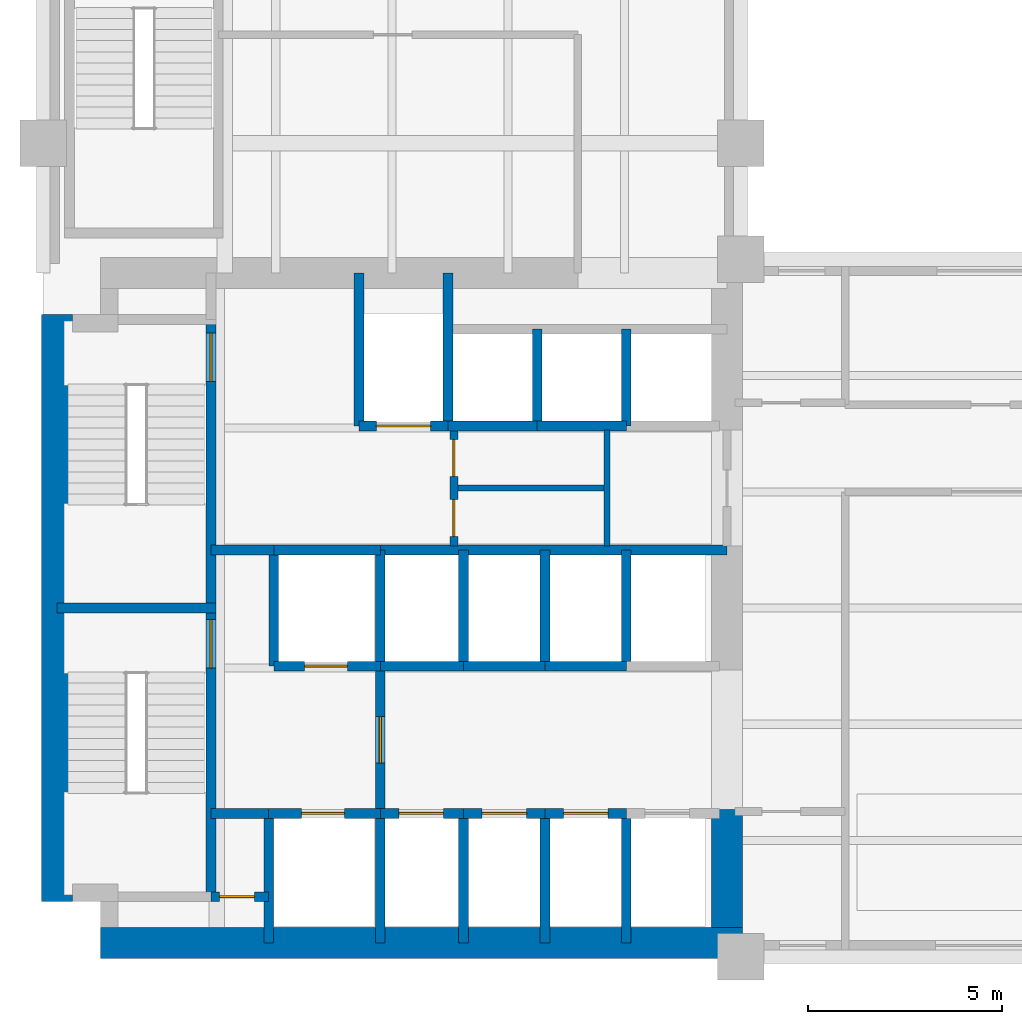
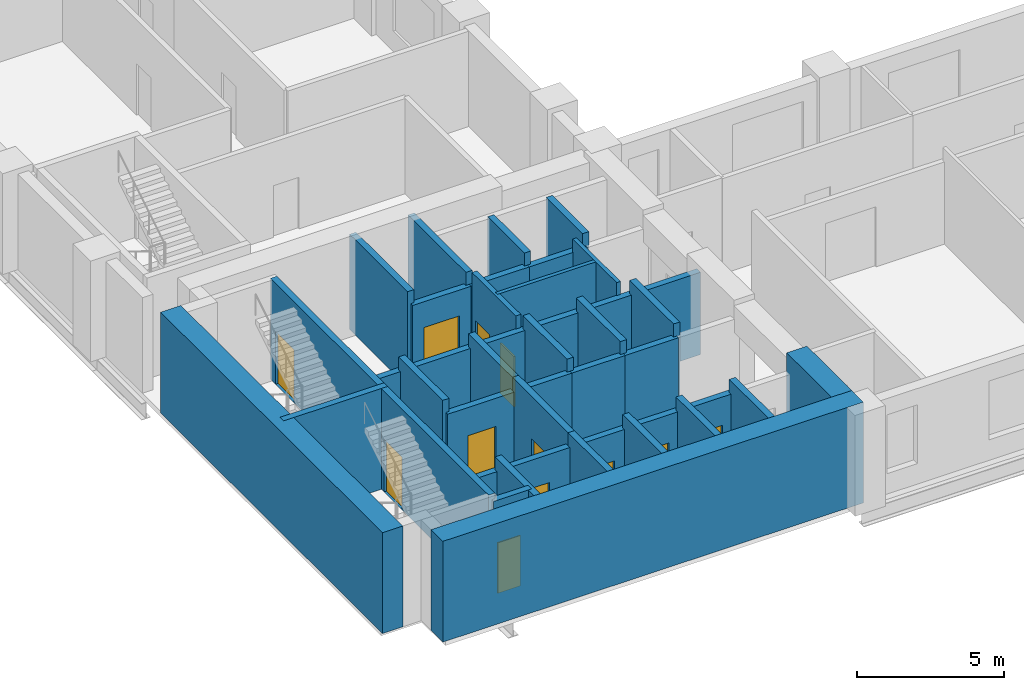
# One storey, part 3 of 7: 40 walls, 12 doors, 12 openings.
"""IFC4 building model written with IfcOpenShell, lengths in metres."""

from ifc_helpers import new_model, si_unit, direction, frame, frame_2d, origin, place, context, subcontext, project, spatial, rectangle, extrude, material, layer, layer_set, type_object, element, fill, save


model = new_model("IFC4")

# Units and contexts
model_context = context("Model", 3, precision=1e-05, world=origin(), true_north=direction((0.0, 1.0)))
body_context = subcontext(model_context, "Body", "Model", "MODEL_VIEW")
ifc_project = project(units=[si_unit("LENGTHUNIT", "METRE"), si_unit("AREAUNIT", "SQUARE_METRE"), si_unit("VOLUMEUNIT", "CUBIC_METRE"), si_unit("PLANEANGLEUNIT", "RADIAN"), si_unit("MASSUNIT", "GRAM", prefix="KILO")], contexts=[model_context])

# Site, building, storey
site_placement = place(None, origin())
site = spatial("IfcSite", under=ifc_project, at=site_placement, CompositionType="ELEMENT")
building_placement = place(site_placement, origin())
building = spatial("IfcBuilding", under=site, at=building_placement, Name="Mawjdan Bourse Tower", CompositionType="ELEMENT")
storey_placement = place(building_placement, frame((0.0, 0.0, 72.0)))
storey = spatial("IfcBuildingStorey", under=building, at=storey_placement, Name="L16", CompositionType="ELEMENT", Elevation=72.0)

# Wall, openings, doors
ifc_material_1 = material(Name="Gypsum Fireboard Assembly")
ifc_layer_1 = layer(ifc_material_1, 0.199951171875)
ifc_layer_set_1 = layer_set([ifc_layer_1], Name="Gypsum Fireboard Assembly")
wall_type_1 = type_object("IfcWallType", Name="WL-CMP-200", PredefinedType="PARTITIONING", material=ifc_layer_set_1)
wall_1_placement = place(storey_placement, frame((16.60009765625, 13.60009765625, 0.0), z_axis=(0.0, 0.0, 1.0), x_axis=(0.0, 1.0, 0.0)))
wall_1 = element("IfcWall", 1, at=wall_1_placement, inside=storey, type_object=wall_type_1, Name="L16 Core Restroom West Wall", PredefinedType="PARTITIONING", context=body_context, shape_type="SweptSolid", body=[
    extrude(rectangle(XDim=3.0, YDim=0.199951171875, at=frame_2d((1.5, 0.0))), origin(), (0.0, 0.0, 1.0), 3.969970703125),
])
opening_1_placement = place(wall_1_placement, frame((0.25, 0.0, 0.0)))
opening_1 = element("IfcOpeningElement", 2, at=opening_1_placement, cuts=wall_1, Name="Opening D-L16-14", PredefinedType="OPENING", context=body_context, shape_type="SweptSolid", body=[
    extrude(rectangle(XDim=0.949951171875, YDim=2.10009765625, at=frame_2d((0.47509765625, 1.050048828125))), frame((0.0, 0.10986328125, 0.0), z_axis=(0.0, -1.0, 0.0), x_axis=(1.0, 0.0, 0.0)), (0.0, 0.0, 1.0), 0.219970703125),
])
opening_2_placement = place(wall_1_placement, frame((1.800048828125, 0.0, 0.0)))
opening_2 = element("IfcOpeningElement", 3, at=opening_2_placement, cuts=wall_1, Name="Opening D-L16-15", PredefinedType="OPENING", context=body_context, shape_type="SweptSolid", body=[
    extrude(rectangle(XDim=0.949951171875, YDim=2.10009765625, at=frame_2d((0.47509765625, 1.050048828125))), frame((0.0, 0.10986328125, 0.0), z_axis=(0.0, -1.0, 0.0), x_axis=(1.0, 0.0, 0.0)), (0.0, 0.0, 1.0), 0.219970703125),
])
ifc_material_2 = material(Name="Moisture-Resistant Laminate Timber", Category="wood")
door_type_1 = type_object("IfcDoorType", Name="DR-WET-0950", OperationType="NOTDEFINED", PredefinedType="DOOR", material=ifc_material_2)
door_1_placement = place(opening_1_placement, origin())
door_1 = element("IfcDoor", 4, at=door_1_placement, inside=storey, type_object=door_type_1, Name="L16 Accessible WC West Entry Door D-L16-14", OperationType="SINGLE_SWING_LEFT", OverallHeight=2.10009765625, OverallWidth=0.949951171875, PredefinedType="DOOR", context=body_context, shape_type="SweptSolid", body=[
    extrude(rectangle(XDim=0.949951171875, YDim=2.10009765625, at=frame_2d((0.47509765625, 1.050048828125))), frame((0.0, 0.02490234375, 0.0), z_axis=(0.0, -1.0, 0.0), x_axis=(1.0, 0.0, 0.0)), (0.0, 0.0, 1.0), 0.050048828125),
])
fill(opening_1, door_1)
door_2_placement = place(opening_2_placement, origin())
door_2 = element("IfcDoor", 5, at=door_2_placement, inside=storey, type_object=door_type_1, Name="L16 Male Restroom West Entry Door D-L16-15", OperationType="SINGLE_SWING_RIGHT", OverallHeight=2.10009765625, OverallWidth=0.949951171875, PredefinedType="DOOR", context=body_context, shape_type="SweptSolid", body=[
    extrude(rectangle(XDim=0.949951171875, YDim=2.10009765625, at=frame_2d((0.47509765625, 1.050048828125))), frame((0.0, 0.02490234375, 0.0), z_axis=(0.0, -1.0, 0.0), x_axis=(1.0, 0.0, 0.0)), (0.0, 0.0, 1.0), 0.050048828125),
])
fill(opening_2, door_2)

# Walls
ifc_material_3 = material(Name="Concrete C80/95", Category="concrete")
ifc_layer_2 = layer(ifc_material_3, 0.800048828125)
ifc_layer_set_2 = layer_set([ifc_layer_2], Name="Concrete C80/95")
wall_type_2 = type_object("IfcWallType", Name="WL-CORE-800", PredefinedType="SHEAR", material=ifc_layer_set_2)
wall_2_placement = place(storey_placement, frame((7.47509765625, 3.35009765625, 0.0), z_axis=(0.0, 0.0, 1.0), x_axis=(1.0, 0.0, 0.0)))
element("IfcWall", 6, at=wall_2_placement, inside=storey, type_object=wall_type_2, Name="L16 Rear Core Shear Wall S", PredefinedType="SHEAR", context=body_context, shape_type="SweptSolid", body=[
    extrude(rectangle(XDim=16.574951171875, YDim=0.800048828125, at=frame_2d((8.28759765625, 0.0))), origin(), (0.0, 0.0, 1.0), 4.199951171875),
])
wall_3_placement = place(storey_placement, frame((6.35009765625, 4.425048828125, 0.0), z_axis=(0.0, 0.0, 1.0), x_axis=(0.0, 1.0, 0.0)))
element("IfcWall", 7, at=wall_3_placement, inside=storey, type_object=wall_type_2, Name="L16 Rear Core Shear Wall W", PredefinedType="SHEAR", context=body_context, shape_type="SweptSolid", body=[
    extrude(rectangle(XDim=15.14990234375, YDim=0.800048828125, at=frame_2d((7.574951171875, 0.0))), origin(), (0.0, 0.0, 1.0), 4.199951171875),
])
wall_4_placement = place(storey_placement, frame((23.64990234375, 3.75, 0.0), z_axis=(0.0, 0.0, 1.0), x_axis=(0.0, 1.0, 0.0)))
element("IfcWall", 8, at=wall_4_placement, inside=storey, type_object=wall_type_2, Name="L16 Rear Core Shear Wall E1", PredefinedType="SHEAR", context=body_context, shape_type="SweptSolid", body=[
    extrude(rectangle(XDim=3.050048828125, YDim=0.800048828125, at=frame_2d((1.52490234375, 0.0))), origin(), (0.0, 0.0, 1.0), 4.199951171875),
])
ifc_material_4 = material(Name="Gypsum Acoustic Partition")
ifc_layer_3 = layer(ifc_material_4, 0.14990234375)
ifc_layer_set_3 = layer_set([ifc_layer_3], Name="Gypsum Acoustic Partition")
wall_type_3 = type_object("IfcWallType", Name="WL-PRT-150", PredefinedType="PARTITIONING", material=ifc_layer_set_3)
wall_5_placement = place(storey_placement, frame((16.60009765625, 15.10009765625, 0.0), z_axis=(0.0, 0.0, 1.0), x_axis=(1.0, 0.0, 0.0)))
element("IfcWall", 9, at=wall_5_placement, inside=storey, type_object=wall_type_3, Name="L16 Core Restroom West Horizontal Split", PredefinedType="PARTITIONING", context=body_context, shape_type="SweptSolid", body=[
    extrude(rectangle(XDim=3.949951171875, YDim=0.14990234375, at=frame_2d((1.97509765625, 0.0))), origin(), (0.0, 0.0, 1.0), 3.969970703125),
])
wall_6_placement = place(storey_placement, frame((20.550048828125, 13.60009765625, 0.0), z_axis=(0.0, 0.0, 1.0), x_axis=(0.0, 1.0, 0.0)))
element("IfcWall", 10, at=wall_6_placement, inside=storey, type_object=wall_type_3, Name="L16 Core Restroom Vertical Split", PredefinedType="PARTITIONING", context=body_context, shape_type="SweptSolid", body=[
    extrude(rectangle(XDim=3.0, YDim=0.14990234375, at=frame_2d((1.5, 0.0))), origin(), (0.0, 0.0, 1.0), 3.969970703125),
])

# Wall, opening, door
ifc_material_5 = material(Name="Concrete C50/60", Category="concrete")
ifc_layer_4 = layer(ifc_material_5, 0.25)
ifc_layer_set_4 = layer_set([ifc_layer_4], Name="Concrete C50/60")
wall_type_4 = type_object("IfcWallType", Name="WL-SHFT-250", PredefinedType="PARTITIONING", material=ifc_layer_set_4)
wall_7_placement = place(storey_placement, frame((10.330078125, 4.550048828125, 0.0), z_axis=(0.0, 0.0, 1.0), x_axis=(1.0, 0.0, 0.0)))
wall_7 = element("IfcWall", 11, at=wall_7_placement, inside=storey, type_object=wall_type_4, Name="L16 SW Riser North Wall", PredefinedType="PARTITIONING", context=body_context, shape_type="SweptSolid", body=[
    extrude(rectangle(XDim=1.489990234375, YDim=0.25, at=frame_2d((0.7451171875, 0.0))), origin(), (0.0, 0.0, 1.0), 3.969970703125),
])
opening_3_placement = place(wall_7_placement, frame((0.219970703125, 0.0, 0.0)))
opening_3 = element("IfcOpeningElement", 12, at=opening_3_placement, cuts=wall_7, Name="Opening RD-L16-03", PredefinedType="OPENING", context=body_context, shape_type="SweptSolid", body=[
    extrude(rectangle(XDim=0.89990234375, YDim=2.10009765625, at=frame_2d((0.449951171875, 1.050048828125))), frame((0.0, 0.135009765625, 0.0), z_axis=(0.0, -1.0, 0.0), x_axis=(1.0, 0.0, 0.0)), (0.0, 0.0, 1.0), 0.27001953125),
])
ifc_material_6 = material(Name="Fire-Rated Steel Access Leaf", Category="steel")
door_type_2 = type_object("IfcDoorType", Name="FD-RSR-0900", OperationType="NOTDEFINED", PredefinedType="TRAPDOOR", material=ifc_material_6)
door_3_placement = place(opening_3_placement, origin())
door_3 = element("IfcDoor", 13, at=door_3_placement, inside=storey, type_object=door_type_2, Name="L16 Electrical Riser Access Door RD-L16-03", OperationType="SINGLE_SWING_LEFT", OverallHeight=2.10009765625, OverallWidth=0.89990234375, PredefinedType="TRAPDOOR", context=body_context, shape_type="SweptSolid", body=[
    extrude(rectangle(XDim=0.89990234375, YDim=2.10009765625, at=frame_2d((0.449951171875, 1.050048828125))), frame((0.0, 0.02490234375, 0.0), z_axis=(0.0, -1.0, 0.0), x_axis=(1.0, 0.0, 0.0)), (0.0, 0.0, 1.0), 0.050048828125),
])
fill(opening_3, door_3)

# Wall
wall_8_placement = place(storey_placement, frame((11.820068359375, 3.35009765625, 0.0), z_axis=(0.0, 0.0, 1.0), x_axis=(0.0, 1.0, 0.0)))
element("IfcWall", 14, at=wall_8_placement, inside=storey, type_object=wall_type_4, Name="L16 SW Riser & FFL01 West Wall", PredefinedType="PARTITIONING", context=body_context, shape_type="SweptSolid", body=[
    extrude(rectangle(XDim=3.349853515625, YDim=0.25, at=frame_2d((1.6748046875, 0.0))), origin(), (0.0, 0.0, 1.0), 3.969970703125),
])

# Wall, opening, door
wall_9_placement = place(storey_placement, frame((11.820068359375, 6.699951171875, 0.0), z_axis=(0.0, 0.0, 1.0), x_axis=(1.0, 0.0, 0.0)))
wall_9 = element("IfcWall", 15, at=wall_9_placement, inside=storey, type_object=wall_type_4, Name="L16 FFL-01 Front Shaft Wall", PredefinedType="PARTITIONING", context=body_context, shape_type="SweptSolid", body=[
    extrude(rectangle(XDim=2.8798828125, YDim=0.25, at=frame_2d((1.43994140625, 0.0))), origin(), (0.0, 0.0, 1.0), 3.426025390625),
])
opening_4_placement = place(wall_9_placement, frame((0.85009765625, 0.0, 0.0)))
opening_4 = element("IfcOpeningElement", 16, at=opening_4_placement, cuts=wall_9, Name="Opening LD-L16-05", PredefinedType="OPENING", context=body_context, shape_type="SweptSolid", body=[
    extrude(rectangle(XDim=1.10009765625, YDim=2.25, at=frame_2d((0.550048828125, 1.125))), frame((0.0, 0.135009765625, 0.0), z_axis=(0.0, -1.0, 0.0), x_axis=(1.0, 0.0, 0.0)), (0.0, 0.0, 1.0), 0.27001953125),
])
ifc_material_7 = material(Name="Brushed Stainless Steel", Category="steel")
door_type_3 = type_object("IfcDoorType", Name="LD-FFL-1100", OperationType="DOUBLE_DOOR_SLIDING", PredefinedType="DOOR", material=ifc_material_7)
door_4_placement = place(opening_4_placement, origin())
door_4 = element("IfcDoor", 17, at=door_4_placement, inside=storey, type_object=door_type_3, Name="L16 Firefighting Lift FFL-01 Landing Door LD-L16-05", OperationType="DOUBLE_DOOR_SLIDING", OverallHeight=2.25, OverallWidth=1.10009765625, PredefinedType="DOOR", context=body_context, shape_type="SweptSolid", body=[
    extrude(rectangle(XDim=1.10009765625, YDim=2.25, at=frame_2d((0.550048828125, 1.125))), frame((0.0, 0.02490234375, 0.0), z_axis=(0.0, -1.0, 0.0), x_axis=(1.0, 0.0, 0.0)), (0.0, 0.0, 1.0), 0.050048828125),
])
fill(opening_4, door_4)

# Wall
wall_10_placement = place(storey_placement, frame((14.699951171875, 3.35009765625, 0.0), z_axis=(0.0, 0.0, 1.0), x_axis=(0.0, 1.0, 0.0)))
element("IfcWall", 18, at=wall_10_placement, inside=storey, type_object=wall_type_4, Name="L16 FFL-01 East Shaft Wall", PredefinedType="PARTITIONING", context=body_context, shape_type="SweptSolid", body=[
    extrude(rectangle(XDim=3.349853515625, YDim=0.25, at=frame_2d((1.6748046875, 0.0))), origin(), (0.0, 0.0, 1.0), 3.969970703125),
])

# Wall, opening, door
wall_11_placement = place(storey_placement, frame((11.949951171875, 10.5, 0.0), z_axis=(0.0, 0.0, 1.0), x_axis=(1.0, 0.0, 0.0)))
wall_11 = element("IfcWall", 19, at=wall_11_placement, inside=storey, type_object=wall_type_4, Name="L16 FFL-02 Front Shaft Wall", PredefinedType="PARTITIONING", context=body_context, shape_type="SweptSolid", body=[
    extrude(rectangle(XDim=2.75, YDim=0.25, at=frame_2d((1.375, 0.0))), origin(), (0.0, 0.0, 1.0), 3.426025390625),
])
opening_5_placement = place(wall_11_placement, frame((0.800048828125, 0.0, 0.0)))
opening_5 = element("IfcOpeningElement", 20, at=opening_5_placement, cuts=wall_11, Name="Opening LD-L16-06", PredefinedType="OPENING", context=body_context, shape_type="SweptSolid", body=[
    extrude(rectangle(XDim=1.10009765625, YDim=2.25, at=frame_2d((0.550048828125, 1.125))), frame((0.0, 0.135009765625, 0.0), z_axis=(0.0, -1.0, 0.0), x_axis=(1.0, 0.0, 0.0)), (0.0, 0.0, 1.0), 0.27001953125),
])
door_5_placement = place(opening_5_placement, origin())
door_5 = element("IfcDoor", 21, at=door_5_placement, inside=storey, type_object=door_type_3, Name="L16 Firefighting Lift FFL-02 Landing Door LD-L16-06", OperationType="DOUBLE_DOOR_SLIDING", OverallHeight=2.25, OverallWidth=1.10009765625, PredefinedType="DOOR", context=body_context, shape_type="SweptSolid", body=[
    extrude(rectangle(XDim=1.10009765625, YDim=2.25, at=frame_2d((0.550048828125, 1.125))), frame((0.0, 0.02490234375, 0.0), z_axis=(0.0, -1.0, 0.0), x_axis=(1.0, 0.0, 0.0)), (0.0, 0.0, 1.0), 0.050048828125),
])
fill(opening_5, door_5)

# Walls
wall_12_placement = place(storey_placement, frame((11.949951171875, 10.5, 0.0), z_axis=(0.0, 0.0, 1.0), x_axis=(0.0, 1.0, 0.0)))
element("IfcWall", 22, at=wall_12_placement, inside=storey, type_object=wall_type_4, Name="L16 FFL-02 West Shaft Wall", PredefinedType="PARTITIONING", context=body_context, shape_type="SweptSolid", body=[
    extrude(rectangle(XDim=3.0, YDim=0.25, at=frame_2d((1.5, 0.0))), origin(), (0.0, 0.0, 1.0), 3.969970703125),
])
wall_13_placement = place(storey_placement, frame((11.949951171875, 13.5, 0.0), z_axis=(0.0, 0.0, 1.0), x_axis=(1.0, 0.0, 0.0)))
element("IfcWall", 23, at=wall_13_placement, inside=storey, type_object=wall_type_4, Name="L16 FFL-02 North Shaft Wall", PredefinedType="PARTITIONING", context=body_context, shape_type="SweptSolid", body=[
    extrude(rectangle(XDim=2.75, YDim=0.25, at=frame_2d((1.375, 0.0))), origin(), (0.0, 0.0, 1.0), 3.426025390625),
])
wall_14_placement = place(storey_placement, frame((14.699951171875, 10.5, 0.0), z_axis=(0.0, 0.0, 1.0), x_axis=(0.0, 1.0, 0.0)))
element("IfcWall", 24, at=wall_14_placement, inside=storey, type_object=wall_type_4, Name="L16 FFL-02 East Shaft Wall", PredefinedType="PARTITIONING", context=body_context, shape_type="SweptSolid", body=[
    extrude(rectangle(XDim=3.0, YDim=0.25, at=frame_2d((1.5, 0.0))), origin(), (0.0, 0.0, 1.0), 3.969970703125),
])

# Wall, opening, door
wall_15_placement = place(storey_placement, frame((14.699951171875, 6.699951171875, 0.0), z_axis=(0.0, 0.0, 1.0), x_axis=(0.0, 1.0, 0.0)))
wall_15 = element("IfcWall", 25, at=wall_15_placement, inside=storey, type_object=wall_type_4, Name="L16 Firefighting Lobby East Compartment Wall", PredefinedType="PARTITIONING", context=body_context, shape_type="SweptSolid", body=[
    extrude(rectangle(XDim=3.800048828125, YDim=0.25, at=frame_2d((1.89990234375, 0.0))), origin(), (0.0, 0.0, 1.0), 3.969970703125),
])
opening_6_placement = place(wall_15_placement, frame((1.300048828125, 0.0, 0.0)))
opening_6 = element("IfcOpeningElement", 26, at=opening_6_placement, cuts=wall_15, Name="Opening FD-L16-07", PredefinedType="OPENING", context=body_context, shape_type="SweptSolid", body=[
    extrude(rectangle(XDim=1.199951171875, YDim=2.199951171875, at=frame_2d((0.60009765625, 1.10009765625))), frame((0.0, 0.135009765625, 0.0), z_axis=(0.0, -1.0, 0.0), x_axis=(1.0, 0.0, 0.0)), (0.0, 0.0, 1.0), 0.27001953125),
])
ifc_material_8 = material(Name="Fire-Rated Steel Leaf", Category="steel")
door_type_4 = type_object("IfcDoorType", Name="FD-FFL-1200", OperationType="NOTDEFINED", PredefinedType="DOOR", material=ifc_material_8)
door_6_placement = place(opening_6_placement, origin())
door_6 = element("IfcDoor", 27, at=door_6_placement, inside=storey, type_object=door_type_4, Name="L16 Firefighting Lobby East Smoke Door FD-L16-07", OperationType="SINGLE_SWING_LEFT", OverallHeight=2.199951171875, OverallWidth=1.199951171875, PredefinedType="DOOR", context=body_context, shape_type="SweptSolid", body=[
    extrude(rectangle(XDim=1.199951171875, YDim=2.199951171875, at=frame_2d((0.60009765625, 1.10009765625))), frame((0.0, 0.02490234375, 0.0), z_axis=(0.0, -1.0, 0.0), x_axis=(1.0, 0.0, 0.0)), (0.0, 0.0, 1.0), 0.050048828125),
])
fill(opening_6, door_6)

# Walls
wall_16_placement = place(storey_placement, frame((10.330078125, 13.5, 0.0), z_axis=(0.0, 0.0, 1.0), x_axis=(1.0, 0.0, 0.0)))
element("IfcWall", 28, at=wall_16_placement, inside=storey, type_object=wall_type_4, Name="L16 Firefighting Lobby North Compartment Wall", PredefinedType="PARTITIONING", context=body_context, shape_type="SweptSolid", body=[
    extrude(rectangle(XDim=1.619873046875, YDim=0.25, at=frame_2d((0.81005859375, 0.0))), origin(), (0.0, 0.0, 1.0), 3.426025390625),
])
wall_17_placement = place(storey_placement, frame((10.330078125, 6.699951171875, 0.0), z_axis=(0.0, 0.0, 1.0), x_axis=(1.0, 0.0, 0.0)))
element("IfcWall", 29, at=wall_17_placement, inside=storey, type_object=wall_type_4, Name="L16 Firefighting Lobby South Closure Wall", PredefinedType="PARTITIONING", context=body_context, shape_type="SweptSolid", body=[
    extrude(rectangle(XDim=1.489990234375, YDim=0.25, at=frame_2d((0.7451171875, 0.0))), origin(), (0.0, 0.0, 1.0), 3.426025390625),
])

# Wall, opening, door
wall_18_placement = place(storey_placement, frame((14.14990234375, 16.699951171875, 0.0), z_axis=(0.0, 0.0, 1.0), x_axis=(1.0, 0.0, 0.0)))
wall_18 = element("IfcWall", 30, at=wall_18_placement, inside=storey, type_object=wall_type_4, Name="L16 SVL-01 Front Shaft Wall", PredefinedType="PARTITIONING", context=body_context, shape_type="SweptSolid", body=[
    extrude(rectangle(XDim=2.300048828125, YDim=0.25, at=frame_2d((1.14990234375, 0.0))), origin(), (0.0, 0.0, 1.0), 3.426025390625),
])
opening_7_placement = place(wall_18_placement, frame((0.449951171875, 0.0, 0.0)))
opening_7 = element("IfcOpeningElement", 31, at=opening_7_placement, cuts=wall_18, Name="Opening LD-L16-09", PredefinedType="OPENING", context=body_context, shape_type="SweptSolid", body=[
    extrude(rectangle(XDim=1.39990234375, YDim=2.35009765625, at=frame_2d((0.699951171875, 1.175048828125))), frame((0.0, 0.135009765625, 0.0), z_axis=(0.0, -1.0, 0.0), x_axis=(1.0, 0.0, 0.0)), (0.0, 0.0, 1.0), 0.27001953125),
])
ifc_material_9 = material(Name="Heavy-Duty Stainless Steel", Category="steel")
door_type_5 = type_object("IfcDoorType", Name="LD-SRV-1400", OperationType="DOUBLE_DOOR_SLIDING", PredefinedType="DOOR", material=ifc_material_9)
door_7_placement = place(opening_7_placement, origin())
door_7 = element("IfcDoor", 32, at=door_7_placement, inside=storey, type_object=door_type_5, Name="L16 Service Lift SVL-01 Landing Door LD-L16-09", OperationType="DOUBLE_DOOR_SLIDING", OverallHeight=2.35009765625, OverallWidth=1.39990234375, PredefinedType="DOOR", context=body_context, shape_type="SweptSolid", body=[
    extrude(rectangle(XDim=1.39990234375, YDim=2.35009765625, at=frame_2d((0.699951171875, 1.175048828125))), frame((0.0, 0.02490234375, 0.0), z_axis=(0.0, -1.0, 0.0), x_axis=(1.0, 0.0, 0.0)), (0.0, 0.0, 1.0), 0.050048828125),
])
fill(opening_7, door_7)

# Walls
for number, where, z_axis, x_axis, name in (
    (33, (14.14990234375, 16.699951171875, 0.0), (0.0, 0.0, 1.0), (0.0, 1.0, 0.0), "L16 SVL-01 West Shaft Wall"),
    (34, (16.449951171875, 16.699951171875, 0.0), (0.0, 0.0, 1.0), (0.0, 1.0, 0.0), "L16 SVL-01 East Shaft Wall"),
):
    element("IfcWall", number, at=place(storey_placement, frame(where, z_axis=z_axis, x_axis=x_axis)), inside=storey, type_object=wall_type_4, Name=name, PredefinedType="PARTITIONING", context=body_context, shape_type="SweptSolid", body=[
        extrude(rectangle(XDim=3.949951171875, YDim=0.25, at=frame_2d((1.97509765625, 0.0))), origin(), (0.0, 0.0, 1.0), 3.969970703125),
    ])
wall_19_placement = place(storey_placement, frame((16.449951171875, 16.699951171875, 0.0), z_axis=(0.0, 0.0, 1.0), x_axis=(1.0, 0.0, 0.0)))
element("IfcWall", 35, at=wall_19_placement, inside=storey, type_object=wall_type_4, Name="L16 PH-01 Front Wall", PredefinedType="PARTITIONING", context=body_context, shape_type="SweptSolid", body=[
    extrude(rectangle(XDim=2.300048828125, YDim=0.25, at=frame_2d((1.14990234375, 0.0))), origin(), (0.0, 0.0, 1.0), 3.426025390625),
])
wall_20_placement = place(storey_placement, frame((18.75, 16.699951171875, 0.0), z_axis=(0.0, 0.0, 1.0), x_axis=(0.0, 1.0, 0.0)))
element("IfcWall", 36, at=wall_20_placement, inside=storey, type_object=wall_type_4, Name="L16 PH-01 Divider Wall", PredefinedType="PARTITIONING", context=body_context, shape_type="SweptSolid", body=[
    extrude(rectangle(XDim=2.5, YDim=0.25, at=frame_2d((1.25, 0.0))), origin(), (0.0, 0.0, 1.0), 3.969970703125),
])
wall_21_placement = place(storey_placement, frame((18.75, 16.699951171875, 0.0), z_axis=(0.0, 0.0, 1.0), x_axis=(1.0, 0.0, 0.0)))
element("IfcWall", 37, at=wall_21_placement, inside=storey, type_object=wall_type_4, Name="L16 PH-02 Front Wall", PredefinedType="PARTITIONING", context=body_context, shape_type="SweptSolid", body=[
    extrude(rectangle(XDim=2.300048828125, YDim=0.25, at=frame_2d((1.14990234375, 0.0))), origin(), (0.0, 0.0, 1.0), 3.426025390625),
])
wall_22_placement = place(storey_placement, frame((21.050048828125, 16.699951171875, 0.0), z_axis=(0.0, 0.0, 1.0), x_axis=(0.0, 1.0, 0.0)))
element("IfcWall", 38, at=wall_22_placement, inside=storey, type_object=wall_type_4, Name="L16 PH-02 Divider Wall", PredefinedType="PARTITIONING", context=body_context, shape_type="SweptSolid", body=[
    extrude(rectangle(XDim=2.5, YDim=0.25, at=frame_2d((1.25, 0.0))), origin(), (0.0, 0.0, 1.0), 3.969970703125),
])

# Wall, opening, door
wall_23_placement = place(storey_placement, frame((14.699951171875, 6.699951171875, 0.0), z_axis=(0.0, 0.0, 1.0), x_axis=(1.0, 0.0, 0.0)))
wall_23 = element("IfcWall", 39, at=wall_23_placement, inside=storey, type_object=wall_type_4, Name="L16 PL-04 Front Wall", PredefinedType="PARTITIONING", context=body_context, shape_type="SweptSolid", body=[
    extrude(rectangle(XDim=2.150146484375, YDim=0.25, at=frame_2d((1.0751953125, 0.0))), origin(), (0.0, 0.0, 1.0), 3.426025390625),
])
opening_8_placement = place(wall_23_placement, frame((0.47998046875, 0.0, 0.0)))
opening_8 = element("IfcOpeningElement", 40, at=opening_8_placement, cuts=wall_23, Name="Opening LD-L16-10", PredefinedType="OPENING", context=body_context, shape_type="SweptSolid", body=[
    extrude(rectangle(XDim=1.14990234375, YDim=2.25, at=frame_2d((0.574951171875, 1.125))), frame((0.0, 0.135009765625, 0.0), z_axis=(0.0, -1.0, 0.0), x_axis=(1.0, 0.0, 0.0)), (0.0, 0.0, 1.0), 0.27001953125),
])
door_type_6 = type_object("IfcDoorType", Name="LD-PAS-1150", OperationType="DOUBLE_DOOR_SLIDING", PredefinedType="DOOR", material=ifc_material_7)
door_8_placement = place(opening_8_placement, origin())
door_8 = element("IfcDoor", 41, at=door_8_placement, inside=storey, type_object=door_type_6, Name="L16 Lift PL-04 Landing Door LD-L16-10", OperationType="DOUBLE_DOOR_SLIDING", OverallHeight=2.25, OverallWidth=1.14990234375, PredefinedType="DOOR", context=body_context, shape_type="SweptSolid", body=[
    extrude(rectangle(XDim=1.14990234375, YDim=2.25, at=frame_2d((0.574951171875, 1.125))), frame((0.0, 0.02490234375, 0.0), z_axis=(0.0, -1.0, 0.0), x_axis=(1.0, 0.0, 0.0)), (0.0, 0.0, 1.0), 0.050048828125),
])
fill(opening_8, door_8)

# Wall
wall_24_placement = place(storey_placement, frame((16.85009765625, 3.35009765625, 0.0), z_axis=(0.0, 0.0, 1.0), x_axis=(0.0, 1.0, 0.0)))
element("IfcWall", 42, at=wall_24_placement, inside=storey, type_object=wall_type_4, Name="L16 PL-04 Divider Wall", PredefinedType="PARTITIONING", context=body_context, shape_type="SweptSolid", body=[
    extrude(rectangle(XDim=3.349853515625, YDim=0.25, at=frame_2d((1.6748046875, 0.0))), origin(), (0.0, 0.0, 1.0), 3.969970703125),
])

# Wall, opening, door
wall_25_placement = place(storey_placement, frame((16.85009765625, 6.699951171875, 0.0), z_axis=(0.0, 0.0, 1.0), x_axis=(1.0, 0.0, 0.0)))
wall_25 = element("IfcWall", 43, at=wall_25_placement, inside=storey, type_object=wall_type_4, Name="L16 PL-01 Front Wall", PredefinedType="PARTITIONING", context=body_context, shape_type="SweptSolid", body=[
    extrude(rectangle(XDim=2.099853515625, YDim=0.25, at=frame_2d((1.0498046875, 0.0))), origin(), (0.0, 0.0, 1.0), 3.426025390625),
])
opening_9_placement = place(wall_25_placement, frame((0.47998046875, 0.0, 0.0)))
opening_9 = element("IfcOpeningElement", 44, at=opening_9_placement, cuts=wall_25, Name="Opening LD-L16-11", PredefinedType="OPENING", context=body_context, shape_type="SweptSolid", body=[
    extrude(rectangle(XDim=1.14990234375, YDim=2.25, at=frame_2d((0.574951171875, 1.125))), frame((0.0, 0.135009765625, 0.0), z_axis=(0.0, -1.0, 0.0), x_axis=(1.0, 0.0, 0.0)), (0.0, 0.0, 1.0), 0.27001953125),
])
door_9_placement = place(opening_9_placement, origin())
door_9 = element("IfcDoor", 45, at=door_9_placement, inside=storey, type_object=door_type_6, Name="L16 Lift PL-01 Landing Door LD-L16-11", OperationType="DOUBLE_DOOR_SLIDING", OverallHeight=2.25, OverallWidth=1.14990234375, PredefinedType="DOOR", context=body_context, shape_type="SweptSolid", body=[
    extrude(rectangle(XDim=1.14990234375, YDim=2.25, at=frame_2d((0.574951171875, 1.125))), frame((0.0, 0.02490234375, 0.0), z_axis=(0.0, -1.0, 0.0), x_axis=(1.0, 0.0, 0.0)), (0.0, 0.0, 1.0), 0.050048828125),
])
fill(opening_9, door_9)

# Wall
wall_26_placement = place(storey_placement, frame((18.949951171875, 3.35009765625, 0.0), z_axis=(0.0, 0.0, 1.0), x_axis=(0.0, 1.0, 0.0)))
element("IfcWall", 46, at=wall_26_placement, inside=storey, type_object=wall_type_4, Name="L16 PL-01 Divider Wall", PredefinedType="PARTITIONING", context=body_context, shape_type="SweptSolid", body=[
    extrude(rectangle(XDim=3.349853515625, YDim=0.25, at=frame_2d((1.6748046875, 0.0))), origin(), (0.0, 0.0, 1.0), 3.969970703125),
])

# Wall, opening, door
wall_27_placement = place(storey_placement, frame((18.949951171875, 6.699951171875, 0.0), z_axis=(0.0, 0.0, 1.0), x_axis=(1.0, 0.0, 0.0)))
wall_27 = element("IfcWall", 47, at=wall_27_placement, inside=storey, type_object=wall_type_4, Name="L16 PL-02 Front Wall", PredefinedType="PARTITIONING", context=body_context, shape_type="SweptSolid", body=[
    extrude(rectangle(XDim=2.10009765625, YDim=0.25, at=frame_2d((1.050048828125, 0.0))), origin(), (0.0, 0.0, 1.0), 3.426025390625),
])
opening_10_placement = place(wall_27_placement, frame((0.47998046875, 0.0, 0.0)))
opening_10 = element("IfcOpeningElement", 48, at=opening_10_placement, cuts=wall_27, Name="Opening LD-L16-12", PredefinedType="OPENING", context=body_context, shape_type="SweptSolid", body=[
    extrude(rectangle(XDim=1.14990234375, YDim=2.25, at=frame_2d((0.574951171875, 1.125))), frame((0.0, 0.135009765625, 0.0), z_axis=(0.0, -1.0, 0.0), x_axis=(1.0, 0.0, 0.0)), (0.0, 0.0, 1.0), 0.27001953125),
])
door_10_placement = place(opening_10_placement, origin())
door_10 = element("IfcDoor", 49, at=door_10_placement, inside=storey, type_object=door_type_6, Name="L16 Lift PL-02 Landing Door LD-L16-12", OperationType="DOUBLE_DOOR_SLIDING", OverallHeight=2.25, OverallWidth=1.14990234375, PredefinedType="DOOR", context=body_context, shape_type="SweptSolid", body=[
    extrude(rectangle(XDim=1.14990234375, YDim=2.25, at=frame_2d((0.574951171875, 1.125))), frame((0.0, 0.02490234375, 0.0), z_axis=(0.0, -1.0, 0.0), x_axis=(1.0, 0.0, 0.0)), (0.0, 0.0, 1.0), 0.050048828125),
])
fill(opening_10, door_10)

# Walls
wall_28_placement = place(storey_placement, frame((21.050048828125, 3.35009765625, 0.0), z_axis=(0.0, 0.0, 1.0), x_axis=(0.0, 1.0, 0.0)))
element("IfcWall", 50, at=wall_28_placement, inside=storey, type_object=wall_type_4, Name="L16 PL-02 Divider Wall", PredefinedType="PARTITIONING", context=body_context, shape_type="SweptSolid", body=[
    extrude(rectangle(XDim=3.349853515625, YDim=0.25, at=frame_2d((1.6748046875, 0.0))), origin(), (0.0, 0.0, 1.0), 3.969970703125),
])
wall_29_placement = place(storey_placement, frame((14.699951171875, 10.5, 0.0), z_axis=(0.0, 0.0, 1.0), x_axis=(1.0, 0.0, 0.0)))
element("IfcWall", 51, at=wall_29_placement, inside=storey, type_object=wall_type_4, Name="L16 PM-01 Front Wall", PredefinedType="PARTITIONING", context=body_context, shape_type="SweptSolid", body=[
    extrude(rectangle(XDim=2.150146484375, YDim=0.25, at=frame_2d((1.0751953125, 0.0))), origin(), (0.0, 0.0, 1.0), 3.426025390625),
])
wall_30_placement = place(storey_placement, frame((16.85009765625, 10.5, 0.0), z_axis=(0.0, 0.0, 1.0), x_axis=(0.0, 1.0, 0.0)))
element("IfcWall", 52, at=wall_30_placement, inside=storey, type_object=wall_type_4, Name="L16 PM-01 Divider Wall", PredefinedType="PARTITIONING", context=body_context, shape_type="SweptSolid", body=[
    extrude(rectangle(XDim=3.0, YDim=0.25, at=frame_2d((1.5, 0.0))), origin(), (0.0, 0.0, 1.0), 3.969970703125),
])
wall_31_placement = place(storey_placement, frame((16.85009765625, 10.5, 0.0), z_axis=(0.0, 0.0, 1.0), x_axis=(1.0, 0.0, 0.0)))
element("IfcWall", 53, at=wall_31_placement, inside=storey, type_object=wall_type_4, Name="L16 PM-02 Front Wall", PredefinedType="PARTITIONING", context=body_context, shape_type="SweptSolid", body=[
    extrude(rectangle(XDim=2.099853515625, YDim=0.25, at=frame_2d((1.0498046875, 0.0))), origin(), (0.0, 0.0, 1.0), 3.426025390625),
])
wall_32_placement = place(storey_placement, frame((18.949951171875, 10.5, 0.0), z_axis=(0.0, 0.0, 1.0), x_axis=(0.0, 1.0, 0.0)))
element("IfcWall", 54, at=wall_32_placement, inside=storey, type_object=wall_type_4, Name="L16 PM-02 Divider Wall", PredefinedType="PARTITIONING", context=body_context, shape_type="SweptSolid", body=[
    extrude(rectangle(XDim=3.0, YDim=0.25, at=frame_2d((1.5, 0.0))), origin(), (0.0, 0.0, 1.0), 3.969970703125),
])
wall_33_placement = place(storey_placement, frame((18.949951171875, 10.5, 0.0), z_axis=(0.0, 0.0, 1.0), x_axis=(1.0, 0.0, 0.0)))
element("IfcWall", 55, at=wall_33_placement, inside=storey, type_object=wall_type_4, Name="L16 PM-03 Front Wall", PredefinedType="PARTITIONING", context=body_context, shape_type="SweptSolid", body=[
    extrude(rectangle(XDim=2.10009765625, YDim=0.25, at=frame_2d((1.050048828125, 0.0))), origin(), (0.0, 0.0, 1.0), 3.426025390625),
])
wall_34_placement = place(storey_placement, frame((21.050048828125, 10.5, 0.0), z_axis=(0.0, 0.0, 1.0), x_axis=(0.0, 1.0, 0.0)))
element("IfcWall", 56, at=wall_34_placement, inside=storey, type_object=wall_type_4, Name="L16 PM-03 Divider Wall", PredefinedType="PARTITIONING", context=body_context, shape_type="SweptSolid", body=[
    extrude(rectangle(XDim=3.0, YDim=0.25, at=frame_2d((1.5, 0.0))), origin(), (0.0, 0.0, 1.0), 3.969970703125),
])
wall_35_placement = place(storey_placement, frame((14.699951171875, 13.5, 0.0), z_axis=(0.0, 0.0, 1.0), x_axis=(1.0, 0.0, 0.0)))
element("IfcWall", 57, at=wall_35_placement, inside=storey, type_object=wall_type_4, Name="L16 PM Bank North Shaft Back Wall", PredefinedType="PARTITIONING", context=body_context, shape_type="SweptSolid", body=[
    extrude(rectangle(XDim=8.949951171875, YDim=0.25, at=frame_2d((4.47509765625, 0.0))), origin(), (0.0, 0.0, 1.0), 3.426025390625),
])
ifc_layer_5 = layer(ifc_material_5, 0.25)
ifc_layer_set_5 = layer_set([ifc_layer_5], Name="Concrete C50/60")
wall_type_5 = type_object("IfcWallType", Name="WL-STRW-250", PredefinedType="SHEAR", material=ifc_layer_set_5)
wall_36_placement = place(storey_placement, frame((6.35009765625, 12.0, 0.0), z_axis=(0.0, 0.0, 1.0), x_axis=(1.0, 0.0, 0.0)))
element("IfcWall", 58, at=wall_36_placement, inside=storey, type_object=wall_type_5, Name="L16 Stairwell Dividing Shaft Wall", PredefinedType="SHEAR", context=body_context, shape_type="SweptSolid", body=[
    extrude(rectangle(XDim=4.10498046875, YDim=0.25, at=frame_2d((2.052490234375, 0.0))), origin(), (0.0, 0.0, 1.0), 4.199951171875),
])

# Wall, opening, door
wall_37_placement = place(storey_placement, frame((10.330078125, 4.550048828125, 0.0), z_axis=(0.0, 0.0, 1.0), x_axis=(0.0, 1.0, 0.0)))
wall_37 = element("IfcWall", 59, at=wall_37_placement, inside=storey, type_object=wall_type_5, Name="L16 Stairwell ST1 East Enclosure Wall", PredefinedType="SHEAR", context=body_context, shape_type="SweptSolid", body=[
    extrude(rectangle(XDim=7.449951171875, YDim=0.25, at=frame_2d((3.72509765625, 0.0))), origin(), (0.0, 0.0, 1.0), 4.199951171875),
])
opening_11_placement = place(wall_37_placement, frame((5.89990234375, 0.0, 0.0)))
opening_11 = element("IfcOpeningElement", 60, at=opening_11_placement, cuts=wall_37, Name="Opening SD-L16-01", PredefinedType="OPENING", context=body_context, shape_type="SweptSolid", body=[
    extrude(rectangle(XDim=1.25, YDim=2.199951171875, at=frame_2d((0.625, 1.10009765625))), frame((0.0, 0.135009765625, 0.0), z_axis=(0.0, -1.0, 0.0), x_axis=(1.0, 0.0, 0.0)), (0.0, 0.0, 1.0), 0.27001953125),
])
door_type_7 = type_object("IfcDoorType", Name="FD-ST-1250", OperationType="NOTDEFINED", PredefinedType="DOOR", material=ifc_material_8)
door_11_placement = place(opening_11_placement, origin())
door_11 = element("IfcDoor", 61, at=door_11_placement, inside=storey, type_object=door_type_7, Name="L16 Exit Stair ST1 Fire Door SD-L16-01", OperationType="SINGLE_SWING_LEFT", OverallHeight=2.199951171875, OverallWidth=1.25, PredefinedType="DOOR", context=body_context, shape_type="SweptSolid", body=[
    extrude(rectangle(XDim=1.25, YDim=2.199951171875, at=frame_2d((0.625, 1.10009765625))), frame((0.0, 0.02490234375, 0.0), z_axis=(0.0, -1.0, 0.0), x_axis=(1.0, 0.0, 0.0)), (0.0, 0.0, 1.0), 0.050048828125),
])
fill(opening_11, door_11)

wall_38_placement = place(storey_placement, frame((10.330078125, 12.0, 0.0), z_axis=(0.0, 0.0, 1.0), x_axis=(0.0, 1.0, 0.0)))
wall_38 = element("IfcWall", 62, at=wall_38_placement, inside=storey, type_object=wall_type_5, Name="L16 Stairwell ST2 East Enclosure Wall", PredefinedType="SHEAR", context=body_context, shape_type="SweptSolid", body=[
    extrude(rectangle(XDim=7.449951171875, YDim=0.25, at=frame_2d((3.72509765625, 0.0))), origin(), (0.0, 0.0, 1.0), 4.199951171875),
])
opening_12_placement = place(wall_38_placement, frame((5.85009765625, 0.0, 0.0)))
opening_12 = element("IfcOpeningElement", 63, at=opening_12_placement, cuts=wall_38, Name="Opening SD-L16-02", PredefinedType="OPENING", context=body_context, shape_type="SweptSolid", body=[
    extrude(rectangle(XDim=1.25, YDim=2.199951171875, at=frame_2d((0.625, 1.10009765625))), frame((0.0, 0.135009765625, 0.0), z_axis=(0.0, -1.0, 0.0), x_axis=(1.0, 0.0, 0.0)), (0.0, 0.0, 1.0), 0.27001953125),
])
door_12_placement = place(opening_12_placement, origin())
door_12 = element("IfcDoor", 64, at=door_12_placement, inside=storey, type_object=door_type_7, Name="L16 Exit Stair ST2 Fire Door SD-L16-02", OperationType="SINGLE_SWING_RIGHT", OverallHeight=2.199951171875, OverallWidth=1.25, PredefinedType="DOOR", context=body_context, shape_type="SweptSolid", body=[
    extrude(rectangle(XDim=1.25, YDim=2.199951171875, at=frame_2d((0.625, 1.10009765625))), frame((0.0, 0.02490234375, 0.0), z_axis=(0.0, -1.0, 0.0), x_axis=(1.0, 0.0, 0.0)), (0.0, 0.0, 1.0), 0.050048828125),
])
fill(opening_12, door_12)

save(model, "model.ifc")
